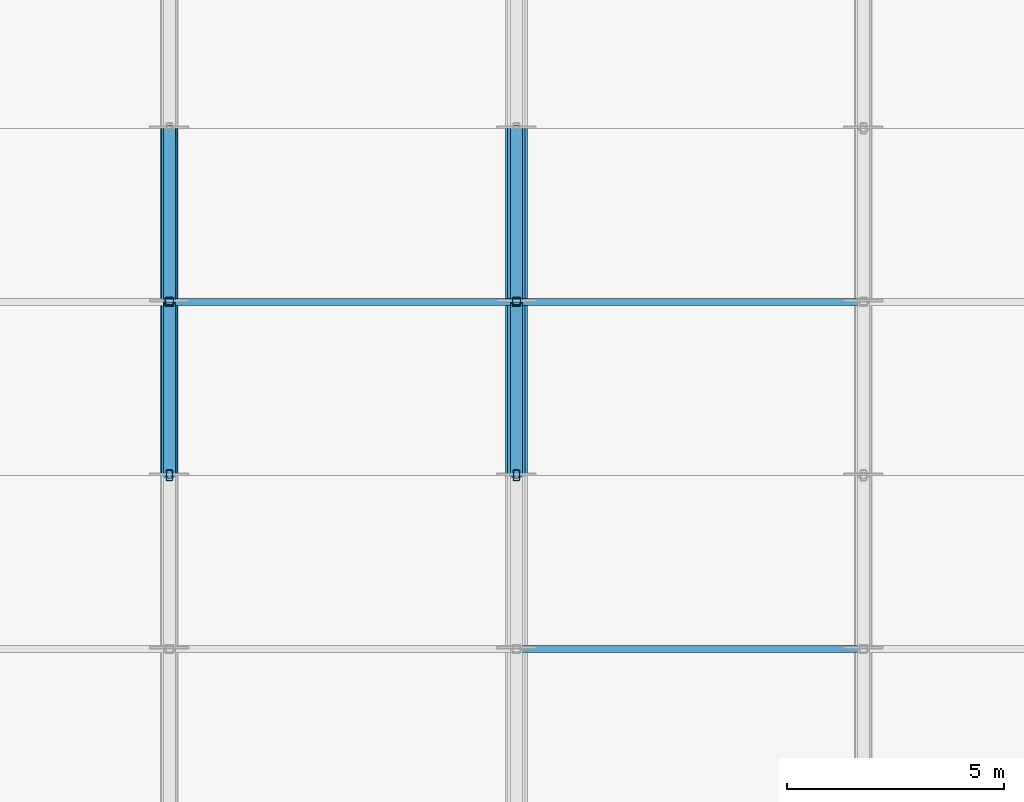
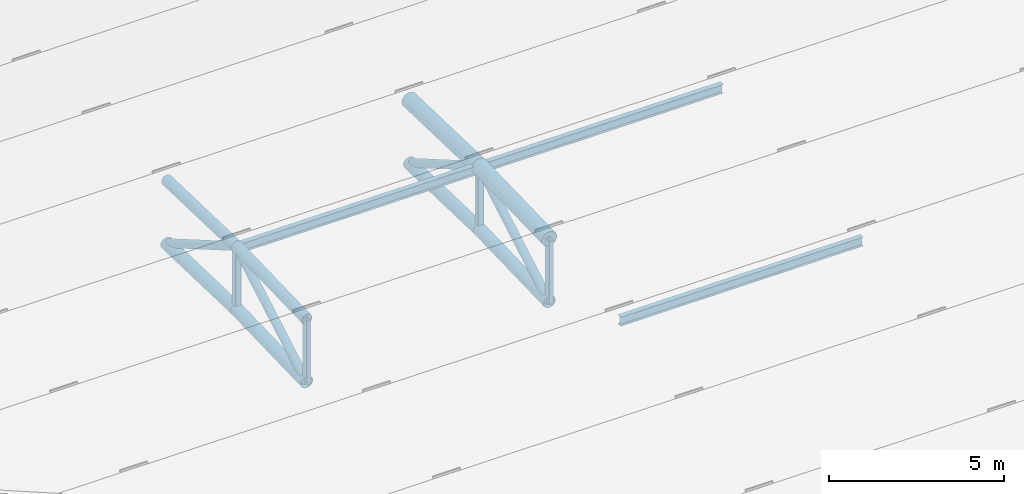
# One storey, part 30 of 98: 19 members.
"""IFC4 building model written with IfcOpenShell, lengths in metres."""

from ifc_helpers import new_model, si_unit, direction, frame, origin, origin_2d, place, context, subcontext, project, spatial, hollow_rectangle, hollow_circle, i_section, extrude, material, material_profile, profile_set, type_object, element, save


model = new_model("IFC4")

# Units and contexts
model_context = context("Model", 3, precision=1e-05, world=origin(), true_north=direction((0.0, 1.0)))
body_context = subcontext(model_context, "Body", "Model", "MODEL_VIEW")
ifc_project = project(units=[si_unit("LENGTHUNIT", "METRE"), si_unit("AREAUNIT", "SQUARE_METRE"), si_unit("VOLUMEUNIT", "CUBIC_METRE"), si_unit("PLANEANGLEUNIT", "RADIAN"), si_unit("MASSUNIT", "GRAM", prefix="KILO")], contexts=[model_context])

# Site, building, storey
site_placement = place(None, origin())
site = spatial("IfcSite", under=ifc_project, at=site_placement, CompositionType="ELEMENT")
building_placement = place(site_placement, origin())
building = spatial("IfcBuilding", under=site, at=building_placement, Name="Tlacozan Convention Centre", CompositionType="ELEMENT")
storey_placement = place(building_placement, frame((0.0, 0.0, 25.800048828125)))
storey = spatial("IfcBuildingStorey", under=building, at=storey_placement, Name="Roof", CompositionType="ELEMENT", Elevation=25.800048828125)

# Members
ifc_material_1 = material(Name="Steel ASTM A500 Grade C", Category="steel")
ifc_material_profile_1 = material_profile(ifc_material_1, hollow_circle(Radius=0.203125, WallThickness=0.015869140625, at=origin_2d()), Name="OC 406.4x15.9")
ifc_profile_set_1 = profile_set([ifc_material_profile_1], Name="Steel ASTM A500 Grade C")
member_type_1 = type_object("IfcMemberType", Name="Arch Bottom Chord OC 406.4x15.9", PredefinedType="CHORD", material=ifc_profile_set_1)
for number, where, z_axis, x_axis, name in (
    (1, (112.0, 90.0, -4.917724609375), (0.0, 0.999567543518, 0.029406222899), (-1.0, 0.0, 0.0), "V2A Roof Truss 15 Bottom Chord 8"),
    (2, (112.0, 94.0, -4.800048828125), (0.0, 0.999567543518, -0.029406222899), (-1.0, 0.0, 0.0), "V2A Roof Truss 15 Bottom Chord 9"),
    (3, (120.0, 90.0, -4.917724609375), (0.0, 0.999567543518, 0.029406222899), (-1.0, 0.0, 0.0), "V2A Roof Truss 16 Bottom Chord 8"),
    (4, (120.0, 94.0, -4.800048828125), (0.0, 0.999567543518, -0.029406222899), (-1.0, 0.0, 0.0), "V2A Roof Truss 16 Bottom Chord 9"),
):
    element("IfcMember", number, at=place(storey_placement, frame(where, z_axis=z_axis, x_axis=x_axis)), inside=storey, type_object=member_type_1, Name=name, PredefinedType="CHORD", context=body_context, shape_type="SweptSolid", body=[
        extrude(hollow_circle(Radius=0.203125, WallThickness=0.015869140625, at=origin_2d()), origin(), (0.0, 0.0, 1.0), 4.001708984375),
    ])
ifc_material_profile_2 = material_profile(ifc_material_1, hollow_circle(Radius=0.25390625, WallThickness=0.01904296875, at=origin_2d()), Name="OC 508.0x19.1")
ifc_profile_set_2 = profile_set([ifc_material_profile_2], Name="Steel ASTM A500 Grade C")
member_type_2 = type_object("IfcMemberType", Name="Arch Top Chord OC 508x19.1", PredefinedType="CHORD", material=ifc_profile_set_2)
for number, where, z_axis, x_axis, name in (
    (5, (120.0, 90.0, -2.7177734375), (0.0, 0.999567543518, 0.029406222899), (-1.0, 0.0, 0.0), "V2A Roof Truss 16 Top Chord 8"),
    (6, (120.0, 94.0, -2.60009765625), (0.0, 0.999567543518, -0.029406222899), (-1.0, 0.0, 0.0), "V2A Roof Truss 16 Top Chord 9"),
):
    element("IfcMember", number, at=place(storey_placement, frame(where, z_axis=z_axis, x_axis=x_axis)), inside=storey, type_object=member_type_2, Name=name, PredefinedType="CHORD", context=body_context, shape_type="SweptSolid", body=[
        extrude(hollow_circle(Radius=0.25390625, WallThickness=0.01904296875, at=origin_2d()), origin(), (0.0, 0.0, 1.0), 4.001708984375),
    ])
ifc_material_profile_3 = material_profile(ifc_material_1, hollow_circle(Radius=0.136474609375, WallThickness=0.0126953125, at=origin_2d()), Name="OC 273.1x12.7")
ifc_profile_set_3 = profile_set([ifc_material_profile_3], Name="Steel ASTM A500 Grade C")
member_type_3 = type_object("IfcMemberType", Name="Arch Web Diagonal OC 273.1x12.7", PredefinedType="BRACE", material=ifc_profile_set_3)
for number, where, z_axis, x_axis, name in (
    (7, (112.0, 90.0, -4.917724609375), (0.0, 0.865253886656, 0.501333932252), (-1.0, 0.0, 0.0), "V2A Roof Truss 15 Web Diagonal 8"),
    (8, (112.0, 94.0, -2.60009765625), (0.0, 0.865253886656, -0.501333932252), (-1.0, 0.0, 0.0), "V2A Roof Truss 15 Web Diagonal 9"),
    (9, (120.0, 90.0, -4.917724609375), (0.0, 0.865253886656, 0.501333932252), (-1.0, 0.0, 0.0), "V2A Roof Truss 16 Web Diagonal 8"),
    (10, (120.0, 94.0, -2.60009765625), (0.0, 0.865253886656, -0.501333932252), (-1.0, 0.0, 0.0), "V2A Roof Truss 16 Web Diagonal 9"),
):
    element("IfcMember", number, at=place(storey_placement, frame(where, z_axis=z_axis, x_axis=x_axis)), inside=storey, type_object=member_type_3, Name=name, PredefinedType="BRACE", context=body_context, shape_type="SweptSolid", body=[
        extrude(hollow_circle(Radius=0.136474609375, WallThickness=0.0126953125, at=origin_2d()), origin(), (0.0, 0.0, 1.0), 4.622802734375),
    ])
ifc_material_profile_4 = material_profile(ifc_material_1, hollow_rectangle(XDim=0.203125, YDim=0.203125, WallThickness=0.0126953125, InnerFilletRadius=0.0126953125, OuterFilletRadius=0.02490234375, at=origin_2d()), Name="OR 203x203x12.7")
ifc_profile_set_4 = profile_set([ifc_material_profile_4], Name="Steel ASTM A500 Grade C")
member_type_4 = type_object("IfcMemberType", Name="Arch Web Strut OR 203x203x12.7", PredefinedType="STRUT", material=ifc_profile_set_4)
for number, where, z_axis, x_axis, name in (
    (11, (112.0, 94.0, -4.800048828125), (0.0, 0.0, 1.0), (1.0, 0.0, 0.0), "V2A Roof Truss 15 Vertical Strut 9"),
    (12, (120.0, 94.0, -4.800048828125), (0.0, 0.0, 1.0), (1.0, 0.0, 0.0), "V2A Roof Truss 16 Vertical Strut 9"),
):
    element("IfcMember", number, at=place(storey_placement, frame(where, z_axis=z_axis, x_axis=x_axis)), inside=storey, type_object=member_type_4, Name=name, PredefinedType="STRUT", context=body_context, shape_type="SweptSolid", body=[
        extrude(hollow_rectangle(XDim=0.203125, YDim=0.203125, WallThickness=0.0126953125, InnerFilletRadius=0.0126953125, OuterFilletRadius=0.02490234375, at=origin_2d()), origin(), (0.0, 0.0, 1.0), 2.199951171875),
    ])
ifc_material_2 = material(Name="Steel ASTM A992 Grade 50", Category="steel")
ifc_material_profile_5 = material_profile(ifc_material_2, i_section(OverallWidth=0.1669921875, OverallDepth=0.31689453125, WebThickness=0.007568359375, FlangeThickness=0.01318359375, FilletRadius=0.010009765625, at=origin_2d()), Name="IR 305x52.2")
ifc_profile_set_5 = profile_set([ifc_material_profile_5], Name="Steel ASTM A992 Grade 50")
member_type_5 = type_object("IfcMemberType", Name="Roof Purlin IR 305x52.2", PredefinedType="PURLIN", material=ifc_profile_set_5)
for number, where, z_axis, x_axis, name in (
    (13, (112.0, 94.0, -2.6650390625), (1.0, 0.0, 0.0), (0.0, 1.0, 0.0), "V2A Roof Truss Purlin 15.9"),
    (14, (120.0, 86.0, -3.13720703125), (1.0, 0.0, 0.0), (0.0, 1.0, 0.0), "V2A Roof Truss Purlin 16.7"),
    (15, (120.0, 94.0, -2.6650390625), (1.0, 0.0, 0.0), (0.0, 1.0, 0.0), "V2A Roof Truss Purlin 16.9"),
):
    element("IfcMember", number, at=place(storey_placement, frame(where, z_axis=z_axis, x_axis=x_axis)), inside=storey, type_object=member_type_5, Name=name, PredefinedType="PURLIN", context=body_context, shape_type="SweptSolid", body=[
        extrude(i_section(OverallWidth=0.1669921875, OverallDepth=0.31689453125, WebThickness=0.007568359375, FlangeThickness=0.01318359375, FilletRadius=0.010009765625, at=origin_2d()), origin(), (0.0, 0.0, 1.0), 8.0),
    ])
ifc_material_profile_6 = material_profile(ifc_material_1, hollow_circle(Radius=0.177734375, WallThickness=0.015869140625, at=origin_2d()), Name="OC 355.6x15.9")
ifc_profile_set_6 = profile_set([ifc_material_profile_6], Name="Steel ASTM A500 Grade C")
member_type_6 = type_object("IfcMemberType", Name="Secondary Arch Chord OC 355.6x15.9", PredefinedType="CHORD", material=ifc_profile_set_6)
for number, where, z_axis, x_axis, name in (
    (16, (112.0, 90.0, -2.7177734375), (0.0, 0.999567543518, 0.029406222899), (-1.0, 0.0, 0.0), "V2A Roof Truss 15 Top Chord 8"),
    (17, (112.0, 94.0, -2.60009765625), (0.0, 0.999567543518, -0.029406222899), (-1.0, 0.0, 0.0), "V2A Roof Truss 15 Top Chord 9"),
):
    element("IfcMember", number, at=place(storey_placement, frame(where, z_axis=z_axis, x_axis=x_axis)), inside=storey, type_object=member_type_6, Name=name, PredefinedType="CHORD", context=body_context, shape_type="SweptSolid", body=[
        extrude(hollow_circle(Radius=0.177734375, WallThickness=0.015869140625, at=origin_2d()), origin(), (0.0, 0.0, 1.0), 4.001708984375),
    ])
ifc_material_profile_7 = material_profile(ifc_material_1, hollow_rectangle(XDim=0.15234375, YDim=0.25390625, WallThickness=0.0126953125, InnerFilletRadius=0.0126953125, OuterFilletRadius=0.02490234375, at=origin_2d()), Name="OR 254x152x12.7")
ifc_profile_set_7 = profile_set([ifc_material_profile_7], Name="Steel ASTM A500 Grade C")
member_type_7 = type_object("IfcMemberType", Name="Truss Secondary Strut OR 254x152x12.7", PredefinedType="STRUT", material=ifc_profile_set_7)
for number, where, z_axis, x_axis, name in (
    (18, (112.0, 90.0, -4.917724609375), (0.0, 0.0, 1.0), (1.0, 0.0, 0.0), "V2A Roof Truss 15 Vertical Strut 8"),
    (19, (120.0, 90.0, -4.917724609375), (0.0, 0.0, 1.0), (1.0, 0.0, 0.0), "V2A Roof Truss 16 Vertical Strut 8"),
):
    element("IfcMember", number, at=place(storey_placement, frame(where, z_axis=z_axis, x_axis=x_axis)), inside=storey, type_object=member_type_7, Name=name, PredefinedType="STRUT", context=body_context, shape_type="SweptSolid", body=[
        extrude(hollow_rectangle(XDim=0.15234375, YDim=0.25390625, WallThickness=0.0126953125, InnerFilletRadius=0.0126953125, OuterFilletRadius=0.02490234375, at=origin_2d()), origin(), (0.0, 0.0, 1.0), 2.199951171875),
    ])

save(model, "model.ifc")
